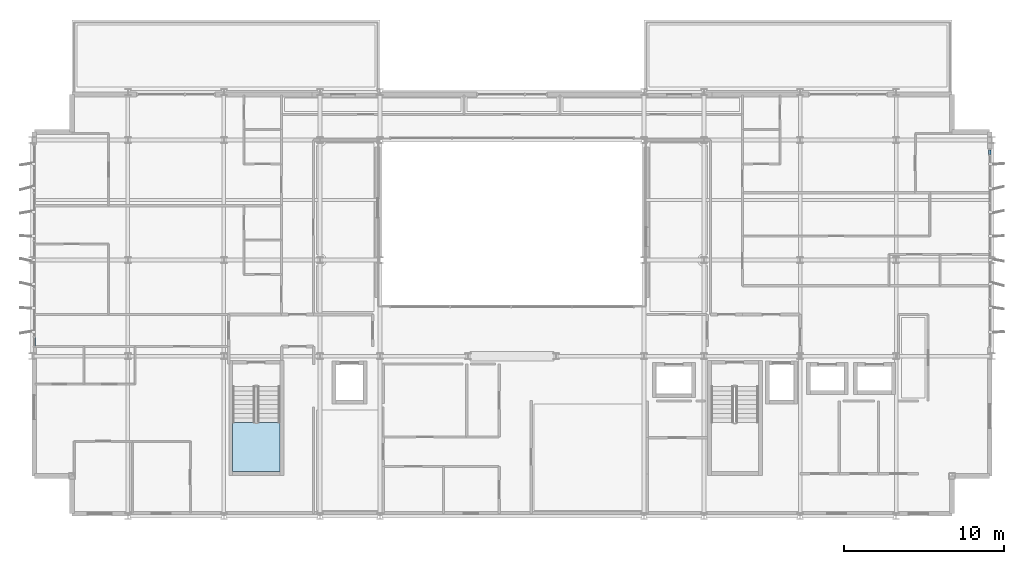
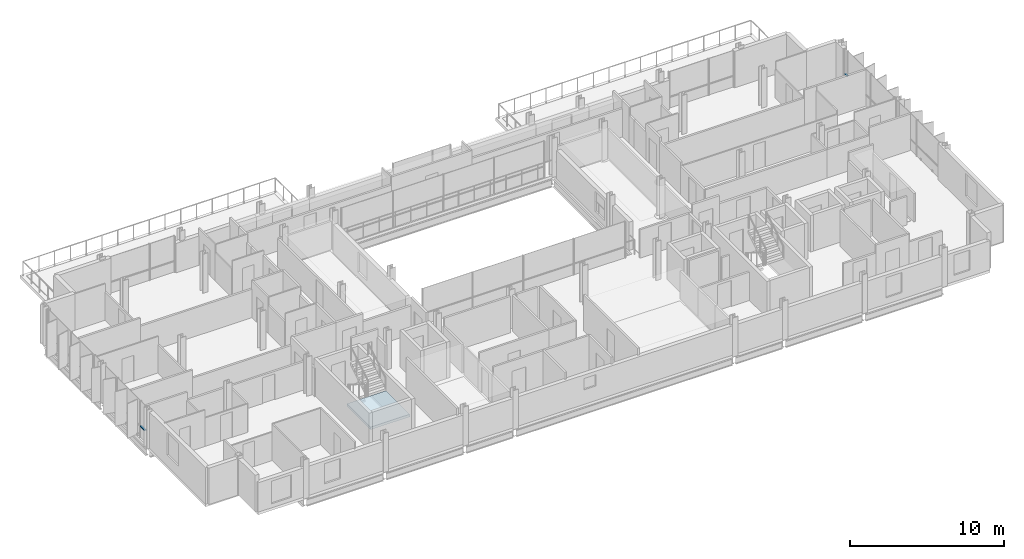
# One storey, part 24 of 38: 2 members, 1 slab, 3 elements without a shape of their own.
"""IFC4 building model written with IfcOpenShell, lengths in metres."""

from ifc_helpers import new_model, si_unit, direction, frame, origin, origin_2d, place, context, subcontext, project, spatial, polyline, hollow_rectangle, outline, extrude, material, layer, layer_set, material_profile, profile_set, type_object, element, aggregate, save


model = new_model("IFC4")

# Units and contexts
model_context = context("Model", 3, precision=1e-05, world=origin(), true_north=direction((0.0, 1.0)))
body_context = subcontext(model_context, "Body", "Model", "MODEL_VIEW")
ifc_project = project(units=[si_unit("LENGTHUNIT", "METRE"), si_unit("AREAUNIT", "SQUARE_METRE"), si_unit("VOLUMEUNIT", "CUBIC_METRE"), si_unit("PLANEANGLEUNIT", "RADIAN"), si_unit("MASSUNIT", "GRAM", prefix="KILO")], contexts=[model_context])

# Site, building, storey
site_placement = place(None, origin())
site = spatial("IfcSite", under=ifc_project, at=site_placement, CompositionType="ELEMENT")
building_placement = place(site_placement, origin())
building = spatial("IfcBuilding", under=site, at=building_placement, Name="Brevholm Reach", CompositionType="ELEMENT")
storey_placement = place(building_placement, frame((0.0, 0.0, 172.800048828125)))
storey = spatial("IfcBuildingStorey", under=building, at=storey_placement, Name="L52", CompositionType="ELEMENT", Elevation=172.800048828125)

# Curtain wall, member
ifc_material_1 = material(Name="Dark Anodised Aluminium 6063-T6 and Solar-Control Glass", Category="aluminium")
ifc_layer_1 = layer(ifc_material_1, 0.14990234375)
ifc_layer_set_1 = layer_set([ifc_layer_1], Name="Dark Anodised Aluminium 6063-T6 and Solar-Control Glass")
curtain_wall_type = type_object("IfcCurtainWallType", Name="CW-01", PredefinedType="NOTDEFINED", material=ifc_layer_set_1)
curtain_wall_1_placement = place(storey_placement, origin())
curtain_wall_1 = element("IfcCurtainWall", 1, at=curtain_wall_1_placement, inside=storey, type_object=curtain_wall_type, Name="L52 Curtain Wall CW-01", PredefinedType="NOTDEFINED")
ifc_material_2 = material(Name="Dark Anodised Aluminium 6063-T6", Category="aluminium")
ifc_material_profile = material_profile(ifc_material_2, hollow_rectangle(XDim=0.06494140625, YDim=0.14990234375, WallThickness=0.0048828125, InnerFilletRadius=0.0048828125, OuterFilletRadius=0.010009765625, at=origin_2d()), Name="RHS 150x65x5")
ifc_profile_set = profile_set([ifc_material_profile], Name="Dark Anodised Aluminium 6063-T6")
member_type = type_object("IfcMemberType", Name="CWT-150", PredefinedType="NOTDEFINED", material=ifc_profile_set)
member_1_placement = place(storey_placement, frame((0.14990234375, 11.1875, 0.89990234375), z_axis=(0.0, -1.0, 0.0), x_axis=(0.0, 0.0, 1.0)))
member_1 = element("IfcMember", 2, at=member_1_placement, type_object=member_type, Name="CT-150 Transom 5.1", ObjectType="TRANSOM", PredefinedType="USERDEFINED", context=body_context, shape_type="SweptSolid", body=[
    extrude(hollow_rectangle(XDim=0.06494140625, YDim=0.14990234375, WallThickness=0.0048828125, InnerFilletRadius=0.0048828125, OuterFilletRadius=0.010009765625, at=origin_2d()), origin(), (0.0, 0.0, 1.0), 0.572509765625),
])
aggregate(curtain_wall_1, [member_1])

curtain_wall_2_placement = place(storey_placement, origin())
curtain_wall_2 = element("IfcCurtainWall", 3, at=curtain_wall_2_placement, inside=storey, type_object=curtain_wall_type, Name="L52 Curtain Wall CW-01", PredefinedType="NOTDEFINED")
member_2_placement = place(storey_placement, frame((59.85009765625, 22.58251953125, 0.89990234375), z_axis=(0.0, 1.0, 0.0), x_axis=(0.0, 0.0, 1.0)))
member_2 = element("IfcMember", 4, at=member_2_placement, type_object=member_type, Name="CT-150 Transom 5.1", ObjectType="TRANSOM", PredefinedType="USERDEFINED", context=body_context, shape_type="SweptSolid", body=[
    extrude(hollow_rectangle(XDim=0.06494140625, YDim=0.14990234375, WallThickness=0.0048828125, InnerFilletRadius=0.0048828125, OuterFilletRadius=0.010009765625, at=origin_2d()), origin(), (0.0, 0.0, 1.0), 0.302490234375),
])
aggregate(curtain_wall_2, [member_2])

# Stair, slab
ifc_material_3 = material(Name="Precast Concrete C40/50", Category="concrete")
stair_type = type_object("IfcStairType", Name="STR-ESC-1400", PredefinedType="DOUBLE_RETURN_STAIR", material=ifc_material_3)
stair_placement = place(storey_placement, origin())
stair = element("IfcStair", 5, at=stair_placement, inside=storey, type_object=stair_type, Name="L52 ST-1", PredefinedType="DOUBLE_RETURN_STAIR")
ifc_material_4 = material(Name="Concrete C40/50", Category="concrete")
ifc_layer_2 = layer(ifc_material_4, 0.199951171875)
ifc_layer_set_2 = layer_set([ifc_layer_2], Name="Concrete C40/50")
slab_type = type_object("IfcSlabType", Name="SLB-LND-200", PredefinedType="LANDING", material=ifc_layer_set_2)
slab_placement = place(storey_placement, frame((0.0, 0.0, 1.349853515625)))
slab = element("IfcSlab", 6, at=slab_placement, type_object=slab_type, Name="ST-1 landing 1", PredefinedType="LANDING", context=body_context, shape_type="SweptSolid", body=[
    extrude(outline(polyline([(12.550048828125, 5.860107421875), (12.550048828125, 2.780029296875), (15.5, 2.780029296875), (15.5, 5.860107421875), (12.550048828125, 5.860107421875)])), origin(), (0.0, 0.0, 1.0), 0.2001953125),
])
aggregate(stair, [slab])

save(model, "model.ifc")
